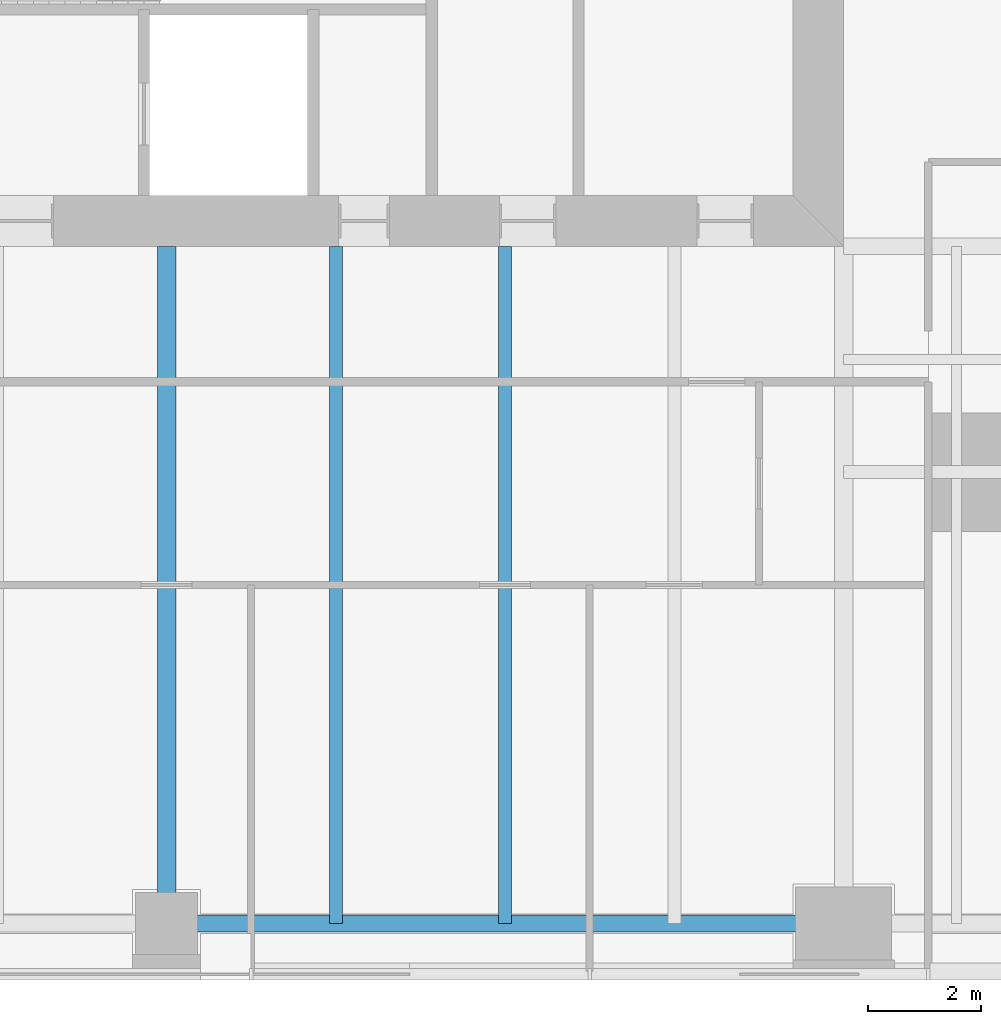
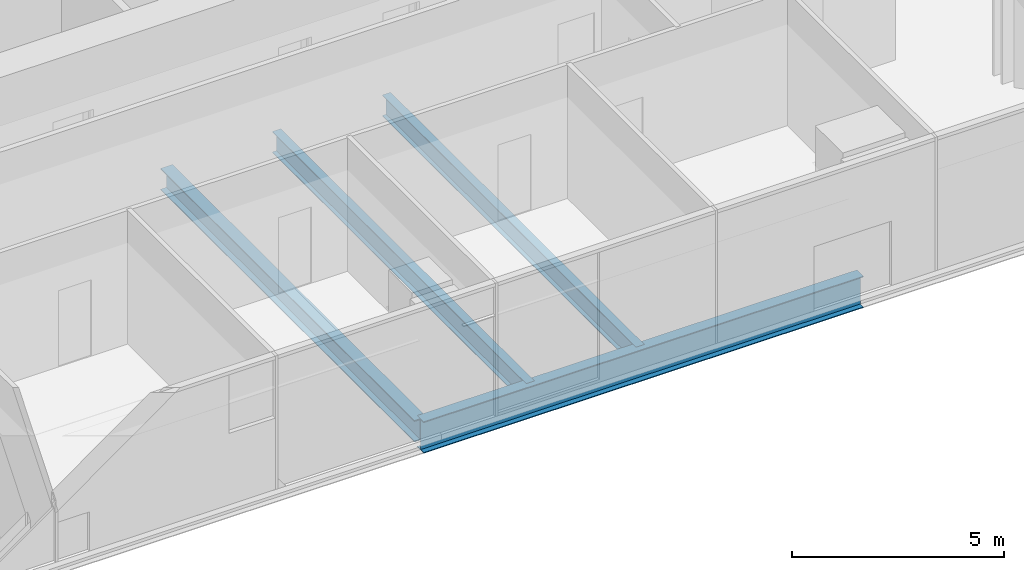
# One storey, part 3 of 14: 4 beams.
"""IFC4 building model written with IfcOpenShell, lengths in metres."""

from ifc_helpers import new_model, si_unit, direction, frame, origin, origin_2d, place, context, subcontext, project, spatial, i_section, extrude, material, material_profile, profile_set, type_object, element, save


model = new_model("IFC4")

# Units and contexts
model_context = context("Model", 3, precision=1e-05, world=origin(), true_north=direction((0.0, 1.0)))
body_context = subcontext(model_context, "Body", "Model", "MODEL_VIEW")
ifc_project = project(units=[si_unit("LENGTHUNIT", "METRE"), si_unit("AREAUNIT", "SQUARE_METRE"), si_unit("VOLUMEUNIT", "CUBIC_METRE"), si_unit("PLANEANGLEUNIT", "RADIAN"), si_unit("MASSUNIT", "GRAM", prefix="KILO")], contexts=[model_context])

# Site, building, storey
site_placement = place(None, origin())
site = spatial("IfcSite", under=ifc_project, at=site_placement, CompositionType="ELEMENT")
building_placement = place(site_placement, origin())
building = spatial("IfcBuilding", under=site, at=building_placement, Name="Fenwick Lantern Interchange", CompositionType="ELEMENT")
storey_placement = place(building_placement, frame((0.0, 0.0, 225.800048828125)))
storey = spatial("IfcBuildingStorey", under=building, at=storey_placement, Name="L53", CompositionType="ELEMENT", Elevation=225.800048828125)

# Beams
ifc_material = material(Name="Steel ASTM A992 Grade 50", Category="steel")
ifc_material_profile_1 = material_profile(ifc_material, i_section(OverallWidth=0.3046875, OverallDepth=0.911865234375, WebThickness=0.015869140625, FlangeThickness=0.02392578125, at=origin_2d()), Name="W36X150")
ifc_profile_set_1 = profile_set([ifc_material_profile_1], Name="Steel ASTM A992 Grade 50")
beam_type_1 = type_object("IfcBeamType", Name="EDGE BEAM W36X150", PredefinedType="SPANDREL", material=ifc_profile_set_1)
beam_1_placement = place(storey_placement, frame((25.0, 1.0, -0.60595703125), z_axis=(1.0, 0.0, 0.0), x_axis=(0.0, 1.0, 0.0)))
element("IfcBeam", 1, at=beam_1_placement, inside=storey, type_object=beam_type_1, Name="L53/FR/S/EB3", PredefinedType="SPANDREL", context=body_context, shape_type="SweptSolid", body=[
    extrude(i_section(OverallWidth=0.3046875, OverallDepth=0.911865234375, WebThickness=0.015869140625, FlangeThickness=0.02392578125, at=origin_2d()), origin(), (0.0, 0.0, 1.0), 12.0),
])
ifc_material_profile_2 = material_profile(ifc_material, i_section(OverallWidth=0.22900390625, OverallDepth=0.612060546875, WebThickness=0.011962890625, FlangeThickness=0.01953125, at=origin_2d()), Name="W24X84")
ifc_profile_set_2 = profile_set([ifc_material_profile_2], Name="Steel ASTM A992 Grade 50")
beam_type_2 = type_object("IfcBeamType", Name="FLOOR BEAM W24X84", PredefinedType="BEAM", material=ifc_profile_set_2)
for number, where, z_axis, x_axis, name in (
    (2, (28.0, 1.0, -0.4560546875), (0.0, 1.0, 0.0), (-1.0, 0.0, 0.0), "L53/FR/S/R06"),
    (3, (31.0, 1.0, -0.4560546875), (0.0, 1.0, 0.0), (-1.0, 0.0, 0.0), "L53/FR/S/R07"),
):
    element("IfcBeam", number, at=place(storey_placement, frame(where, z_axis=z_axis, x_axis=x_axis)), inside=storey, type_object=beam_type_2, Name=name, PredefinedType="BEAM", context=body_context, shape_type="SweptSolid", body=[
        extrude(i_section(OverallWidth=0.22900390625, OverallDepth=0.612060546875, WebThickness=0.011962890625, FlangeThickness=0.01953125, at=origin_2d()), origin(), (0.0, 0.0, 1.0), 12.0),
    ])
ifc_material_profile_3 = material_profile(ifc_material, i_section(OverallWidth=0.32763671875, OverallDepth=0.622314453125, WebThickness=0.015380859375, FlangeThickness=0.0244140625, at=origin_2d()), Name="W24X131")
ifc_profile_set_3 = profile_set([ifc_material_profile_3], Name="Steel ASTM A992 Grade 50")
beam_type_3 = type_object("IfcBeamType", Name="MOMENT-CONNECTED GIRDER W24X131", PredefinedType="BEAM", material=ifc_profile_set_3)
beam_2_placement = place(storey_placement, frame((25.0, 1.0, -0.461181640625), z_axis=(0.0, 1.0, 0.0), x_axis=(-1.0, 0.0, 0.0)))
element("IfcBeam", 4, at=beam_2_placement, inside=storey, type_object=beam_type_3, Name="L53/FR/S/R05", PredefinedType="BEAM", context=body_context, shape_type="SweptSolid", body=[
    extrude(i_section(OverallWidth=0.32763671875, OverallDepth=0.622314453125, WebThickness=0.015380859375, FlangeThickness=0.0244140625, at=origin_2d()), origin(), (0.0, 0.0, 1.0), 12.0),
])

save(model, "model.ifc")
